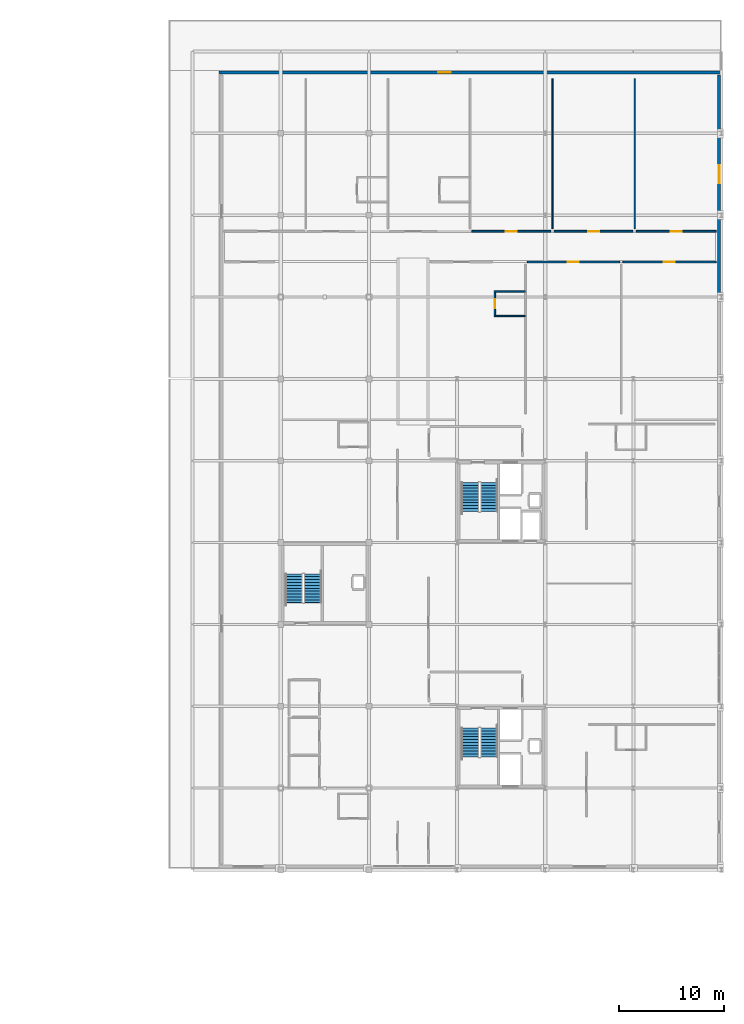
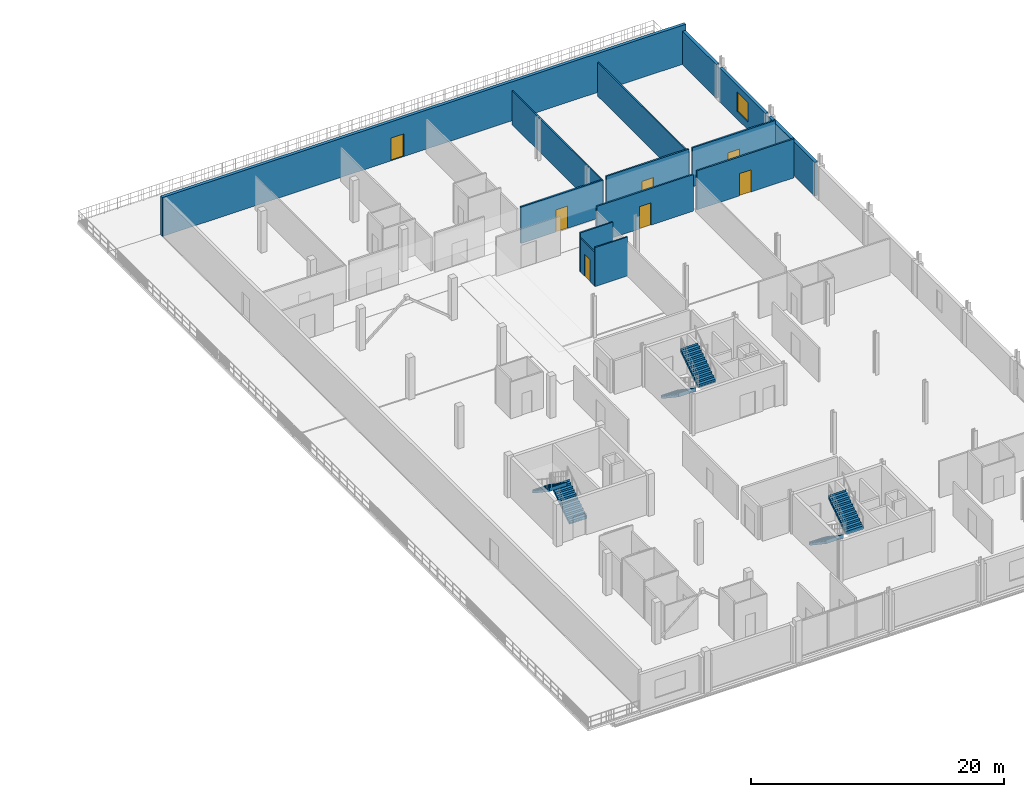
# One storey, part 13 of 20: 14 walls, 7 doors, 6 stair flights, 1 window, 8 openings, 3 elements without a shape of their own.
"""IFC4 building model written with IfcOpenShell, lengths in metres."""

from ifc_helpers import new_model, si_unit, direction, frame, frame_2d, origin, place, context, subcontext, project, spatial, polyline, rectangle, outline, extrude, material, layer, layer_set, type_object, element, fill, aggregate, save


model = new_model("IFC4")

# Units and contexts
model_context = context("Model", 3, precision=1e-05, world=origin(), true_north=direction((0.0, 1.0)))
body_context = subcontext(model_context, "Body", "Model", "MODEL_VIEW")
ifc_project = project(units=[si_unit("LENGTHUNIT", "METRE"), si_unit("AREAUNIT", "SQUARE_METRE"), si_unit("VOLUMEUNIT", "CUBIC_METRE"), si_unit("PLANEANGLEUNIT", "RADIAN"), si_unit("MASSUNIT", "GRAM", prefix="KILO")], contexts=[model_context])

# Site, building, storey
site_placement = place(None, origin())
site = spatial("IfcSite", under=ifc_project, at=site_placement, CompositionType="ELEMENT")
building_placement = place(site_placement, origin())
building = spatial("IfcBuilding", under=site, at=building_placement, Name="Nabrawat Pavilion Hospital", CompositionType="ELEMENT")
storey_placement = place(building_placement, frame((0.0, 0.0, 27.0)))
storey = spatial("IfcBuildingStorey", under=building, at=storey_placement, Name="L06", CompositionType="ELEMENT", Elevation=27.0)

# Wall, opening, door
ifc_material_1 = material(Name="Gypsum Fireboard on Steel Stud", Category="steel")
ifc_layer_1 = layer(ifc_material_1, 0.14990234375, Name="Gypsum Fireboard on Steel Stud")
ifc_layer_set_1 = layer_set([ifc_layer_1], Name="Gypsum Fireboard on Steel Stud")
wall_type_1 = type_object("IfcWallType", Name="Clinical Corridor Smoke-Barrier Wall 150", PredefinedType="PARTITIONING", material=ifc_layer_set_1)
wall_1_placement = place(storey_placement, frame((174.693359375, 96.93505859375, 0.0), z_axis=(0.0, 0.0, 1.0), x_axis=(1.0, 0.0, 0.0)))
wall_1 = element("IfcWall", 1, at=wall_1_placement, inside=storey, type_object=wall_type_1, Name="L06 Neuro-Rehabilitation Daily Living Therapy Room L06-03 Front Partition", PredefinedType="PARTITIONING", context=body_context, shape_type="SweptSolid", body=[
    extrude(rectangle(XDim=8.79345703125, YDim=0.14990234375, at=frame_2d((4.396728515625, 0.0))), origin(), (0.0, 0.0, 1.0), 3.5400390625),
])
opening_1_placement = place(wall_1_placement, frame((3.87158203125, 0.0, 0.0)))
opening_1 = element("IfcOpeningElement", 2, at=opening_1_placement, cuts=wall_1, Name="Opening D-OPC-R", PredefinedType="OPENING", context=body_context, shape_type="SweptSolid", body=[
    extrude(rectangle(XDim=1.050048828125, YDim=2.14990234375, at=frame_2d((0.52490234375, 1.074951171875))), frame((0.0, 0.0849609375, 0.0), z_axis=(0.0, -1.0, 0.0), x_axis=(1.0, 0.0, 0.0)), (0.0, 0.0, 1.0), 0.169921875),
])
ifc_material_2 = material(Name="Stainless-Clad Acoustic Timber and Vision Glass", Category="wood")
door_type_1 = type_object("IfcDoorType", Name="Outpatient Clinic Consultation Door R 1050x2150", OperationType="NOTDEFINED", PredefinedType="DOOR", material=ifc_material_2)
door_1_placement = place(opening_1_placement, origin())
door_1 = element("IfcDoor", 3, at=door_1_placement, inside=storey, type_object=door_type_1, Name="Neuro-Rehabilitation Daily Living Therapy Room L06-03 Door", OperationType="SINGLE_SWING_LEFT", OverallHeight=2.14990234375, OverallWidth=1.050048828125, PredefinedType="DOOR", context=body_context, shape_type="SweptSolid", body=[
    extrude(rectangle(XDim=1.050048828125, YDim=2.14990234375, at=frame_2d((0.52490234375, 1.074951171875))), frame((0.0, 0.02490234375, 0.0), z_axis=(0.0, -1.0, 0.0), x_axis=(1.0, 0.0, 0.0)), (0.0, 0.0, 1.0), 0.050048828125),
])
fill(opening_1, door_1)

wall_2_placement = place(storey_placement, frame((183.806640625, 96.93505859375, 0.0), z_axis=(0.0, 0.0, 1.0), x_axis=(1.0, 0.0, 0.0)))
wall_2 = element("IfcWall", 4, at=wall_2_placement, inside=storey, type_object=wall_type_1, Name="L06 Stroke Unit Nurse Station L06-04 Front Partition", PredefinedType="PARTITIONING", context=body_context, shape_type="SweptSolid", body=[
    extrude(rectangle(XDim=8.873291015625, YDim=0.14990234375, at=frame_2d((4.4365234375, 0.0))), origin(), (0.0, 0.0, 1.0), 3.77001953125),
])
opening_2_placement = place(wall_2_placement, frame((3.91162109375, 0.0, 0.0)))
opening_2 = element("IfcOpeningElement", 5, at=opening_2_placement, cuts=wall_2, Name="Opening D-OPC-L", PredefinedType="OPENING", context=body_context, shape_type="SweptSolid", body=[
    extrude(rectangle(XDim=1.050048828125, YDim=2.14990234375, at=frame_2d((0.52490234375, 1.074951171875))), frame((0.0, 0.0849609375, 0.0), z_axis=(0.0, -1.0, 0.0), x_axis=(1.0, 0.0, 0.0)), (0.0, 0.0, 1.0), 0.169921875),
])
door_type_2 = type_object("IfcDoorType", Name="Outpatient Clinic Consultation Door L 1050x2150", OperationType="NOTDEFINED", PredefinedType="DOOR", material=ifc_material_2)
door_2_placement = place(opening_2_placement, origin())
door_2 = element("IfcDoor", 6, at=door_2_placement, inside=storey, type_object=door_type_2, Name="Stroke Unit Nurse Station L06-04 Door", OperationType="SINGLE_SWING_RIGHT", OverallHeight=2.14990234375, OverallWidth=1.050048828125, PredefinedType="DOOR", context=body_context, shape_type="SweptSolid", body=[
    extrude(rectangle(XDim=1.050048828125, YDim=2.14990234375, at=frame_2d((0.52490234375, 1.074951171875))), frame((0.0, 0.02490234375, 0.0), z_axis=(0.0, -1.0, 0.0), x_axis=(1.0, 0.0, 0.0)), (0.0, 0.0, 1.0), 0.050048828125),
])
fill(opening_2, door_2)

wall_3_placement = place(storey_placement, frame((169.409912109375, 99.864990234375, 0.0), z_axis=(0.0, 0.0, 1.0), x_axis=(1.0, 0.0, 0.0)))
wall_3 = element("IfcWall", 7, at=wall_3_placement, inside=storey, type_object=wall_type_1, Name="L06 Neuro-Rehabilitation Daily Living Therapy Room L06-08 Front Partition", PredefinedType="PARTITIONING", context=body_context, shape_type="SweptSolid", body=[
    extrude(rectangle(XDim=7.516845703125, YDim=0.14990234375, at=frame_2d((3.75830078125, 0.0))), origin(), (0.0, 0.0, 1.0), 3.5400390625),
])
opening_3_placement = place(wall_3_placement, frame((3.2333984375, 0.0, 0.0)))
opening_3 = element("IfcOpeningElement", 8, at=opening_3_placement, cuts=wall_3, Name="Opening D-OPC-L", PredefinedType="OPENING", context=body_context, shape_type="SweptSolid", body=[
    extrude(rectangle(XDim=1.050048828125, YDim=2.14990234375, at=frame_2d((0.52490234375, 1.074951171875))), frame((0.0, 0.0849609375, 0.0), z_axis=(0.0, -1.0, 0.0), x_axis=(1.0, 0.0, 0.0)), (0.0, 0.0, 1.0), 0.169921875),
])
door_3_placement = place(opening_3_placement, origin())
door_3 = element("IfcDoor", 9, at=door_3_placement, inside=storey, type_object=door_type_2, Name="Neuro-Rehabilitation Daily Living Therapy Room L06-08 Door", OperationType="SINGLE_SWING_RIGHT", OverallHeight=2.14990234375, OverallWidth=1.050048828125, PredefinedType="DOOR", context=body_context, shape_type="SweptSolid", body=[
    extrude(rectangle(XDim=1.050048828125, YDim=2.14990234375, at=frame_2d((0.52490234375, 1.074951171875))), frame((0.0, 0.02490234375, 0.0), z_axis=(0.0, -1.0, 0.0), x_axis=(1.0, 0.0, 0.0)), (0.0, 0.0, 1.0), 0.050048828125),
])
fill(opening_3, door_3)

wall_4_placement = place(storey_placement, frame((177.24658203125, 99.864990234375, 0.0), z_axis=(0.0, 0.0, 1.0), x_axis=(1.0, 0.0, 0.0)))
wall_4 = element("IfcWall", 10, at=wall_4_placement, inside=storey, type_object=wall_type_1, Name="L06 Stroke Unit Nurse Station L06-09 Front Partition", PredefinedType="PARTITIONING", context=body_context, shape_type="SweptSolid", body=[
    extrude(rectangle(XDim=7.5166015625, YDim=0.14990234375, at=frame_2d((3.75830078125, 0.0))), origin(), (0.0, 0.0, 1.0), 3.77001953125),
])
opening_4_placement = place(wall_4_placement, frame((3.2333984375, 0.0, 0.0)))
opening_4 = element("IfcOpeningElement", 11, at=opening_4_placement, cuts=wall_4, Name="Opening D-OPC-R", PredefinedType="OPENING", context=body_context, shape_type="SweptSolid", body=[
    extrude(rectangle(XDim=1.050048828125, YDim=2.14990234375, at=frame_2d((0.52490234375, 1.074951171875))), frame((0.0, 0.0849609375, 0.0), z_axis=(0.0, -1.0, 0.0), x_axis=(1.0, 0.0, 0.0)), (0.0, 0.0, 1.0), 0.169921875),
])
door_4_placement = place(opening_4_placement, origin())
door_4 = element("IfcDoor", 12, at=door_4_placement, inside=storey, type_object=door_type_1, Name="Stroke Unit Nurse Station L06-09 Door", OperationType="SINGLE_SWING_LEFT", OverallHeight=2.14990234375, OverallWidth=1.050048828125, PredefinedType="DOOR", context=body_context, shape_type="SweptSolid", body=[
    extrude(rectangle(XDim=1.050048828125, YDim=2.14990234375, at=frame_2d((0.52490234375, 1.074951171875))), frame((0.0, 0.02490234375, 0.0), z_axis=(0.0, -1.0, 0.0), x_axis=(1.0, 0.0, 0.0)), (0.0, 0.0, 1.0), 0.050048828125),
])
fill(opening_4, door_4)

wall_5_placement = place(storey_placement, frame((185.083251953125, 99.864990234375, 0.0), z_axis=(0.0, 0.0, 1.0), x_axis=(1.0, 0.0, 0.0)))
wall_5 = element("IfcWall", 13, at=wall_5_placement, inside=storey, type_object=wall_type_1, Name="L06 Neurology Telemetry Equipment Room L06-10 Front Partition", PredefinedType="PARTITIONING", context=body_context, shape_type="SweptSolid", body=[
    extrude(rectangle(XDim=7.5966796875, YDim=0.14990234375, at=frame_2d((3.79833984375, 0.0))), origin(), (0.0, 0.0, 1.0), 3.77001953125),
])
opening_5_placement = place(wall_5_placement, frame((3.273193359375, 0.0, 0.0)))
opening_5 = element("IfcOpeningElement", 14, at=opening_5_placement, cuts=wall_5, Name="Opening D-OPC-L", PredefinedType="OPENING", context=body_context, shape_type="SweptSolid", body=[
    extrude(rectangle(XDim=1.050048828125, YDim=2.14990234375, at=frame_2d((0.52490234375, 1.074951171875))), frame((0.0, 0.0849609375, 0.0), z_axis=(0.0, -1.0, 0.0), x_axis=(1.0, 0.0, 0.0)), (0.0, 0.0, 1.0), 0.169921875),
])
door_5_placement = place(opening_5_placement, origin())
door_5 = element("IfcDoor", 15, at=door_5_placement, inside=storey, type_object=door_type_2, Name="Neurology Telemetry Equipment Room L06-10 Door", OperationType="SINGLE_SWING_RIGHT", OverallHeight=2.14990234375, OverallWidth=1.050048828125, PredefinedType="DOOR", context=body_context, shape_type="SweptSolid", body=[
    extrude(rectangle(XDim=1.050048828125, YDim=2.14990234375, at=frame_2d((0.52490234375, 1.074951171875))), frame((0.0, 0.02490234375, 0.0), z_axis=(0.0, -1.0, 0.0), x_axis=(1.0, 0.0, 0.0)), (0.0, 0.0, 1.0), 0.050048828125),
])
fill(opening_5, door_5)

ifc_material_3 = material(Name="Cement Board on Steel Stud", Category="steel")
ifc_layer_2 = layer(ifc_material_3, 0.1298828125, Name="Cement Board on Steel Stud")
ifc_layer_set_2 = layer_set([ifc_layer_2], Name="Cement Board on Steel Stud")
wall_type_2 = type_object("IfcWallType", Name="En-Suite Moisture-Resistant Partition 130", PredefinedType="PARTITIONING", material=ifc_layer_set_2)
wall_6_placement = place(storey_placement, frame((171.603271484375, 91.85009765625, 0.0), z_axis=(0.0, 0.0, 1.0), x_axis=(0.0, 1.0, 0.0)))
wall_6 = element("IfcWall", 16, at=wall_6_placement, inside=storey, type_object=wall_type_2, Name="L06 En-Suite Bathroom WRD-NEU-02 Front Partition", PredefinedType="PARTITIONING", context=body_context, shape_type="SweptSolid", body=[
    extrude(rectangle(XDim=2.219970703125, YDim=0.1298828125, at=frame_2d((1.10986328125, 0.0))), origin(), (0.0, 0.0, 1.0), 3.260009765625),
])
opening_6_placement = place(wall_6_placement, frame((0.659912109375, 0.0, 0.0)))
opening_6 = element("IfcOpeningElement", 17, at=opening_6_placement, cuts=wall_6, Name="Opening D-ENS-L", PredefinedType="OPENING", context=body_context, shape_type="SweptSolid", body=[
    extrude(rectangle(XDim=0.89990234375, YDim=2.10009765625, at=frame_2d((0.449951171875, 1.050048828125))), frame((0.0, 0.074951171875, 0.0), z_axis=(0.0, -1.0, 0.0), x_axis=(1.0, 0.0, 0.0)), (0.0, 0.0, 1.0), 0.14990234375),
])
door_type_3 = type_object("IfcDoorType", Name="En-Suite Bathroom Outward Door L 900x2100", OperationType="NOTDEFINED", PredefinedType="DOOR", material=ifc_material_2)
door_6_placement = place(opening_6_placement, origin())
door_6 = element("IfcDoor", 18, at=door_6_placement, inside=storey, type_object=door_type_3, Name="En-Suite Bathroom WRD-NEU-02 Door", OperationType="SINGLE_SWING_RIGHT", OverallHeight=2.10009765625, OverallWidth=0.89990234375, PredefinedType="DOOR", context=body_context, shape_type="SweptSolid", body=[
    extrude(rectangle(XDim=0.89990234375, YDim=2.10009765625, at=frame_2d((0.449951171875, 1.050048828125))), frame((0.0, 0.02490234375, 0.0), z_axis=(0.0, -1.0, 0.0), x_axis=(1.0, 0.0, 0.0)), (0.0, 0.0, 1.0), 0.050048828125),
])
fill(opening_6, door_6)

# Walls
for number, where, z_axis, x_axis, name in (
    (19, (171.538330078125, 91.784912109375, 0.0), (0.0, 0.0, 1.0), (1.0, 0.0, 0.0), "L06 En-Suite Bathroom WRD-NEU-02 South Partition"),
    (20, (171.538330078125, 94.135009765625, 0.0), (0.0, 0.0, 1.0), (1.0, 0.0, 0.0), "L06 En-Suite Bathroom WRD-NEU-02 North Partition"),
):
    element("IfcWall", number, at=place(storey_placement, frame(where, z_axis=z_axis, x_axis=x_axis)), inside=storey, type_object=wall_type_2, Name=name, PredefinedType="PARTITIONING", context=body_context, shape_type="SweptSolid", body=[
        extrude(rectangle(XDim=2.97998046875, YDim=0.1298828125, at=frame_2d((1.489990234375, 0.0))), origin(), (0.0, 0.0, 1.0), 3.77001953125),
    ])

# Wall, opening, door
ifc_material_4 = material(Name="Precast concrete C40/50", Category="concrete")
ifc_layer_3 = layer(ifc_material_4, 0.280029296875, Name="Precast concrete C40/50")
ifc_layer_set_3 = layer_set([ifc_layer_3], Name="Precast concrete C40/50")
wall_type_3 = type_object("IfcWallType", Name="Insulated Precast Facade Wall 280", PredefinedType="SOLIDWALL", material=ifc_layer_set_3)
wall_7_placement = place(storey_placement, frame((145.320068359375, 114.97998046875, 0.0), z_axis=(0.0, 0.0, 1.0), x_axis=(1.0, 0.0, 0.0)))
wall_7 = element("IfcWall", 21, at=wall_7_placement, inside=storey, type_object=wall_type_3, Name="L06 Insulated Precast Facade Wall 280 406", PredefinedType="SOLIDWALL", context=body_context, shape_type="SweptSolid", body=[
    extrude(rectangle(XDim=47.8798828125, YDim=0.280029296875, at=frame_2d((23.93994140625, 0.0))), origin(), (0.0, 0.0, 1.0), 3.77001953125),
])
opening_7_placement = place(wall_7_placement, frame((20.889892578125, 0.0, 0.0)))
opening_7 = element("IfcOpeningElement", 22, at=opening_7_placement, cuts=wall_7, Name="Opening ED-TER-120", PredefinedType="OPENING", context=body_context, shape_type="SweptSolid", body=[
    extrude(rectangle(XDim=1.199951171875, YDim=2.199951171875, at=frame_2d((0.60009765625, 1.10009765625))), frame((0.0, 0.14990234375, 0.0), z_axis=(0.0, -1.0, 0.0), x_axis=(1.0, 0.0, 0.0)), (0.0, 0.0, 1.0), 0.300048828125),
])
ifc_material_5 = material(Name="Powder-Coated Galvanised Steel and Safety Glass", Category="steel")
door_type_4 = type_object("IfcDoorType", Name="Ward Balcony Single Glazed Door 1200x2200", OperationType="NOTDEFINED", PredefinedType="DOOR", material=ifc_material_5)
door_7_placement = place(opening_7_placement, origin())
door_7 = element("IfcDoor", 23, at=door_7_placement, inside=storey, type_object=door_type_4, Name="L06 Clinical Recovery Terrace Door T_L06_WARD_NORTH", OperationType="SINGLE_SWING_LEFT", OverallHeight=2.199951171875, OverallWidth=1.199951171875, PredefinedType="DOOR", context=body_context, shape_type="SweptSolid", body=[
    extrude(rectangle(XDim=1.199951171875, YDim=2.199951171875, at=frame_2d((0.60009765625, 1.10009765625))), frame((0.0, 0.02490234375, 0.0), z_axis=(0.0, -1.0, 0.0), x_axis=(1.0, 0.0, 0.0)), (0.0, 0.0, 1.0), 0.050048828125),
])
fill(opening_7, door_7)

# Wall
wall_8_placement = place(storey_placement, frame((192.97998046875, 93.85009765625, 0.0), z_axis=(0.0, 0.0, 1.0), x_axis=(0.0, 1.0, 0.0)))
element("IfcWall", 24, at=wall_8_placement, inside=storey, type_object=wall_type_3, Name="L06 Insulated Precast Facade Wall 280 413", PredefinedType="SOLIDWALL", context=body_context, shape_type="SweptSolid", body=[
    extrude(rectangle(XDim=7.2998046875, YDim=0.280029296875, at=frame_2d((3.64990234375, 0.0))), origin(), (0.0, 0.0, 1.0), 3.260009765625),
])

# Wall, opening, window
wall_9_placement = place(storey_placement, frame((192.97998046875, 101.64990234375, 0.0), z_axis=(0.0, 0.0, 1.0), x_axis=(0.0, 1.0, 0.0)))
wall_9 = element("IfcWall", 25, at=wall_9_placement, inside=storey, type_object=wall_type_3, Name="L06 Insulated Precast Facade Wall 280 414", PredefinedType="SOLIDWALL", context=body_context, shape_type="SweptSolid", body=[
    extrude(rectangle(XDim=7.300048828125, YDim=0.280029296875, at=frame_2d((3.64990234375, 0.0))), origin(), (0.0, 0.0, 1.0), 3.260009765625),
])
opening_8_placement = place(wall_9_placement, frame((2.77490234375, 0.0, 0.75)))
opening_8 = element("IfcOpeningElement", 26, at=opening_8_placement, cuts=wall_9, Name="Opening WN-20", PredefinedType="OPENING", context=body_context, shape_type="SweptSolid", body=[
    extrude(rectangle(XDim=1.75, YDim=1.89990234375, at=frame_2d((0.875, 0.949951171875))), frame((0.0, 0.14990234375, 0.0), z_axis=(0.0, -1.0, 0.0), x_axis=(1.0, 0.0, 0.0)), (0.0, 0.0, 1.0), 0.300048828125),
])
ifc_material_6 = material(Name="Thermally Broken Aluminium and Solar Glass", Category="aluminium")
window_type = type_object("IfcWindowType", Name="Corridor End Daylight Window 1750x1900", PartitioningType="SINGLE_PANEL", PredefinedType="WINDOW", material=ifc_material_6)
window_placement = place(opening_8_placement, origin())
window = element("IfcWindow", 27, at=window_placement, inside=storey, type_object=window_type, Name="L06 Corridor End Daylight Window 1750x1900 148", OverallHeight=1.89990234375, OverallWidth=1.75, PartitioningType="SINGLE_PANEL", PredefinedType="WINDOW", context=body_context, shape_type="SweptSolid", body=[
    extrude(rectangle(XDim=1.75, YDim=1.89990234375, at=frame_2d((0.875, 0.949951171875))), frame((0.0, 0.030029296875, 0.0), z_axis=(0.0, -1.0, 0.0), x_axis=(1.0, 0.0, 0.0)), (0.0, 0.0, 1.0), 0.06005859375),
])
fill(opening_8, window)

# Walls
wall_10_placement = place(storey_placement, frame((192.97998046875, 109.449951171875, 0.0), z_axis=(0.0, 0.0, 1.0), x_axis=(0.0, 1.0, 0.0)))
element("IfcWall", 28, at=wall_10_placement, inside=storey, type_object=wall_type_3, Name="L06 Insulated Precast Facade Wall 280 415", PredefinedType="SOLIDWALL", context=body_context, shape_type="SweptSolid", body=[
    extrude(rectangle(XDim=5.31005859375, YDim=0.280029296875, at=frame_2d((2.655029296875, 0.0))), origin(), (0.0, 0.0, 1.0), 3.260009765625),
])
ifc_material_7 = material(Name="Gypsum Plasterboard on Stud", Category="gypsum")
ifc_layer_4 = layer(ifc_material_7, 0.1201171875, Name="Gypsum Plasterboard on Stud")
ifc_layer_set_4 = layer_set([ifc_layer_4], Name="Gypsum Plasterboard on Stud")
wall_type_4 = type_object("IfcWallType", Name="Outpatient Consultation Partition 120", PredefinedType="PARTITIONING", material=ifc_layer_set_4)
for number, where, z_axis, x_axis, name in (
    (29, (177.086669921875, 100.0849609375, 0.0), (0.0, 0.0, 1.0), (0.0, 1.0, 0.0), "L06 Neuro-Rehabilitation Daily Living Therapy Room L06-08 Dividing Partition"),
    (30, (184.92333984375, 100.0849609375, 0.0), (0.0, 0.0, 1.0), (0.0, 1.0, 0.0), "L06 Stroke Unit Nurse Station L06-09 Dividing Partition"),
):
    element("IfcWall", number, at=place(storey_placement, frame(where, z_axis=z_axis, x_axis=x_axis)), inside=storey, type_object=wall_type_4, Name=name, PredefinedType="PARTITIONING", context=body_context, shape_type="SweptSolid", body=[
        extrude(rectangle(XDim=14.324951171875, YDim=0.1201171875, at=frame_2d((7.16259765625, 0.0))), origin(), (0.0, 0.0, 1.0), 3.260009765625),
    ])

# Stair, stair flights
ifc_material_8 = material(Name="Concrete C35/45", Category="concrete")
stair_type = type_object("IfcStairType", Name="Ward Upper Dogleg Escape Stair Assembly", PredefinedType="HALF_TURN_STAIR", material=ifc_material_8)
stair_1_placement = place(storey_placement, origin())
stair_1 = element("IfcStair", 31, at=stair_1_placement, inside=storey, type_object=stair_type, Name="L06 Inpatient South Firefighting Core 5", PredefinedType="HALF_TURN_STAIR")
stair_flight_type = type_object("IfcStairFlightType", Name="Reinforced Concrete Escape Stair Flight 1600", PredefinedType="STRAIGHT", material=ifc_material_8)
stair_flight_1_placement = place(storey_placement, frame((169.25, 52.530029296875, 0.0), z_axis=(0.0, 0.0, 1.0), x_axis=(0.0, -1.0, 0.0)))
stair_flight_1 = element("IfcStairFlight", 32, at=stair_flight_1_placement, type_object=stair_flight_type, Name="ST-05 flight 1", NumberOfRisers=11, NumberOfTreads=10, PredefinedType="STRAIGHT", RiserHeight=0.184090909, TreadLength=0.275, context=body_context, shape_type="SweptSolid", body=[
    extrude(outline(polyline([(-0.008056640625, 0.0), (0.0, 0.0), (0.0, 0.18408203125), (0.27490234375, 0.18408203125), (0.27490234375, 0.3681640625), (0.550048828125, 0.3681640625), (0.550048828125, 0.55224609375), (0.824951171875, 0.55224609375), (0.824951171875, 0.736328125), (1.10009765625, 0.736328125), (1.10009765625, 0.92041015625), (1.375, 0.92041015625), (1.375, 1.1044921875), (1.64990234375, 1.1044921875), (1.64990234375, 1.28857421875), (1.925048828125, 1.28857421875), (1.925048828125, 1.47265625), (2.199951171875, 1.47265625), (2.199951171875, 1.65673828125), (2.47509765625, 1.65673828125), (2.47509765625, 1.8408203125), (2.75, 1.8408203125), (2.75, 2.02490234375), (2.758056640625, 2.02490234375), (2.758056640625, 1.875), (2.75, 1.660400390625), (0.26953125, 0.0), (-0.008056640625, -0.1201171875), (-0.008056640625, 0.0)])), frame((0.0, 0.800048828125, 0.0), z_axis=(0.0, -1.0, 0.0), x_axis=(1.0, 0.0, 0.0)), (0.0, 0.0, 1.0), 1.60009765625),
])
stair_flight_2_placement = place(storey_placement, frame((171.050048828125, 49.780029296875, 2.02490234375), z_axis=(0.0, 0.0, 1.0), x_axis=(0.0, 1.0, 0.0)))
stair_flight_2 = element("IfcStairFlight", 33, at=stair_flight_2_placement, type_object=stair_flight_type, Name="ST-05 flight 2", NumberOfRisers=11, NumberOfTreads=10, PredefinedType="STRAIGHT", RiserHeight=0.184090909, TreadLength=0.275, context=body_context, shape_type="SweptSolid", body=[
    extrude(outline(polyline([(-0.008056640625, 0.0), (0.0, 0.0), (0.0, 0.18408203125), (0.27490234375, 0.18408203125), (0.27490234375, 0.3681640625), (0.550048828125, 0.3681640625), (0.550048828125, 0.55224609375), (0.824951171875, 0.55224609375), (0.824951171875, 0.736328125), (1.10009765625, 0.736328125), (1.10009765625, 0.92041015625), (1.375, 0.92041015625), (1.375, 1.1044921875), (1.64990234375, 1.1044921875), (1.64990234375, 1.28857421875), (1.925048828125, 1.28857421875), (1.925048828125, 1.47265625), (2.199951171875, 1.47265625), (2.199951171875, 1.65673828125), (2.47509765625, 1.65673828125), (2.47509765625, 1.8408203125), (2.75, 1.8408203125), (2.75, 2.02490234375), (2.758056640625, 2.02490234375), (2.758056640625, 1.875), (2.75, 1.660400390625), (0.26953125, 0.0), (-0.008056640625, -0.1201171875), (-0.008056640625, 0.0)])), frame((0.0, 0.800048828125, 0.0), z_axis=(0.0, -1.0, 0.0), x_axis=(1.0, 0.0, 0.0)), (0.0, 0.0, 1.0), 1.60009765625),
])
aggregate(stair_1, [stair_flight_1, stair_flight_2])

stair_2_placement = place(storey_placement, origin())
stair_2 = element("IfcStair", 34, at=stair_2_placement, inside=storey, type_object=stair_type, Name="L06 Inpatient North Firefighting Core 6", PredefinedType="HALF_TURN_STAIR")
stair_flight_3_placement = place(storey_placement, frame((169.25, 75.929931640625, 0.0), z_axis=(0.0, 0.0, 1.0), x_axis=(0.0, -1.0, 0.0)))
stair_flight_3 = element("IfcStairFlight", 35, at=stair_flight_3_placement, type_object=stair_flight_type, Name="ST-06 flight 1", NumberOfRisers=11, NumberOfTreads=10, PredefinedType="STRAIGHT", RiserHeight=0.184090909, TreadLength=0.275, context=body_context, shape_type="SweptSolid", body=[
    extrude(outline(polyline([(-0.008056640625, 0.0), (0.0, 0.0), (0.0, 0.18408203125), (0.27490234375, 0.18408203125), (0.27490234375, 0.3681640625), (0.550048828125, 0.3681640625), (0.550048828125, 0.55224609375), (0.824951171875, 0.55224609375), (0.824951171875, 0.736328125), (1.10009765625, 0.736328125), (1.10009765625, 0.92041015625), (1.375, 0.92041015625), (1.375, 1.1044921875), (1.64990234375, 1.1044921875), (1.64990234375, 1.28857421875), (1.925048828125, 1.28857421875), (1.925048828125, 1.47265625), (2.199951171875, 1.47265625), (2.199951171875, 1.65673828125), (2.47509765625, 1.65673828125), (2.47509765625, 1.8408203125), (2.75, 1.8408203125), (2.75, 2.02490234375), (2.758056640625, 2.02490234375), (2.758056640625, 1.875), (2.75, 1.660400390625), (0.26953125, 0.0), (-0.008056640625, -0.1201171875), (-0.008056640625, 0.0)])), frame((0.0, 0.800048828125, 0.0), z_axis=(0.0, -1.0, 0.0), x_axis=(1.0, 0.0, 0.0)), (0.0, 0.0, 1.0), 1.60009765625),
])
stair_flight_4_placement = place(storey_placement, frame((171.050048828125, 73.179931640625, 2.02490234375), z_axis=(0.0, 0.0, 1.0), x_axis=(0.0, 1.0, 0.0)))
stair_flight_4 = element("IfcStairFlight", 36, at=stair_flight_4_placement, type_object=stair_flight_type, Name="ST-06 flight 2", NumberOfRisers=11, NumberOfTreads=10, PredefinedType="STRAIGHT", RiserHeight=0.184090909, TreadLength=0.275, context=body_context, shape_type="SweptSolid", body=[
    extrude(outline(polyline([(-0.008056640625, 0.0), (0.0, 0.0), (0.0, 0.18408203125), (0.27490234375, 0.18408203125), (0.27490234375, 0.3681640625), (0.550048828125, 0.3681640625), (0.550048828125, 0.55224609375), (0.824951171875, 0.55224609375), (0.824951171875, 0.736328125), (1.10009765625, 0.736328125), (1.10009765625, 0.92041015625), (1.375, 0.92041015625), (1.375, 1.1044921875), (1.64990234375, 1.1044921875), (1.64990234375, 1.28857421875), (1.925048828125, 1.28857421875), (1.925048828125, 1.47265625), (2.199951171875, 1.47265625), (2.199951171875, 1.65673828125), (2.47509765625, 1.65673828125), (2.47509765625, 1.8408203125), (2.75, 1.8408203125), (2.75, 2.02490234375), (2.758056640625, 2.02490234375), (2.758056640625, 1.875), (2.75, 1.660400390625), (0.26953125, 0.0), (-0.008056640625, -0.1201171875), (-0.008056640625, 0.0)])), frame((0.0, 0.800048828125, 0.0), z_axis=(0.0, -1.0, 0.0), x_axis=(1.0, 0.0, 0.0)), (0.0, 0.0, 1.0), 1.60009765625),
])
aggregate(stair_2, [stair_flight_3, stair_flight_4])

stair_3_placement = place(storey_placement, origin())
stair_3 = element("IfcStair", 37, at=stair_3_placement, inside=storey, type_object=stair_type, Name="L06 Inpatient West Escape Stair Core 9", PredefinedType="HALF_TURN_STAIR")
stair_flight_5_placement = place(storey_placement, frame((154.25, 64.469970703125, 0.0), z_axis=(0.0, 0.0, 1.0), x_axis=(0.0, 1.0, 0.0)))
stair_flight_5 = element("IfcStairFlight", 38, at=stair_flight_5_placement, type_object=stair_flight_type, Name="ST-09 flight 1", NumberOfRisers=11, NumberOfTreads=10, PredefinedType="STRAIGHT", RiserHeight=0.184090909, TreadLength=0.275, context=body_context, shape_type="SweptSolid", body=[
    extrude(outline(polyline([(-0.008056640625, 0.0), (0.0, 0.0), (0.0, 0.18408203125), (0.27490234375, 0.18408203125), (0.27490234375, 0.3681640625), (0.550048828125, 0.3681640625), (0.550048828125, 0.55224609375), (0.824951171875, 0.55224609375), (0.824951171875, 0.736328125), (1.10009765625, 0.736328125), (1.10009765625, 0.92041015625), (1.375, 0.92041015625), (1.375, 1.1044921875), (1.64990234375, 1.1044921875), (1.64990234375, 1.28857421875), (1.925048828125, 1.28857421875), (1.925048828125, 1.47265625), (2.199951171875, 1.47265625), (2.199951171875, 1.65673828125), (2.47509765625, 1.65673828125), (2.47509765625, 1.8408203125), (2.75, 1.8408203125), (2.75, 2.02490234375), (2.758056640625, 2.02490234375), (2.758056640625, 1.875), (2.75, 1.660400390625), (0.26953125, 0.0), (-0.008056640625, -0.1201171875), (-0.008056640625, 0.0)])), frame((0.0, 0.800048828125, 0.0), z_axis=(0.0, -1.0, 0.0), x_axis=(1.0, 0.0, 0.0)), (0.0, 0.0, 1.0), 1.60009765625),
])
stair_flight_6_placement = place(storey_placement, frame((152.449951171875, 67.219970703125, 2.02490234375), z_axis=(0.0, 0.0, 1.0), x_axis=(0.0, -1.0, 0.0)))
stair_flight_6 = element("IfcStairFlight", 39, at=stair_flight_6_placement, type_object=stair_flight_type, Name="ST-09 flight 2", NumberOfRisers=11, NumberOfTreads=10, PredefinedType="STRAIGHT", RiserHeight=0.184090909, TreadLength=0.275, context=body_context, shape_type="SweptSolid", body=[
    extrude(outline(polyline([(-0.008056640625, 0.0), (0.0, 0.0), (0.0, 0.18408203125), (0.27490234375, 0.18408203125), (0.27490234375, 0.3681640625), (0.550048828125, 0.3681640625), (0.550048828125, 0.55224609375), (0.824951171875, 0.55224609375), (0.824951171875, 0.736328125), (1.10009765625, 0.736328125), (1.10009765625, 0.92041015625), (1.375, 0.92041015625), (1.375, 1.1044921875), (1.64990234375, 1.1044921875), (1.64990234375, 1.28857421875), (1.925048828125, 1.28857421875), (1.925048828125, 1.47265625), (2.199951171875, 1.47265625), (2.199951171875, 1.65673828125), (2.47509765625, 1.65673828125), (2.47509765625, 1.8408203125), (2.75, 1.8408203125), (2.75, 2.02490234375), (2.758056640625, 2.02490234375), (2.758056640625, 1.875), (2.75, 1.660400390625), (0.26953125, 0.0), (-0.008056640625, -0.1201171875), (-0.008056640625, 0.0)])), frame((0.0, 0.800048828125, 0.0), z_axis=(0.0, -1.0, 0.0), x_axis=(1.0, 0.0, 0.0)), (0.0, 0.0, 1.0), 1.60009765625),
])
aggregate(stair_3, [stair_flight_5, stair_flight_6])

save(model, "model.ifc")
